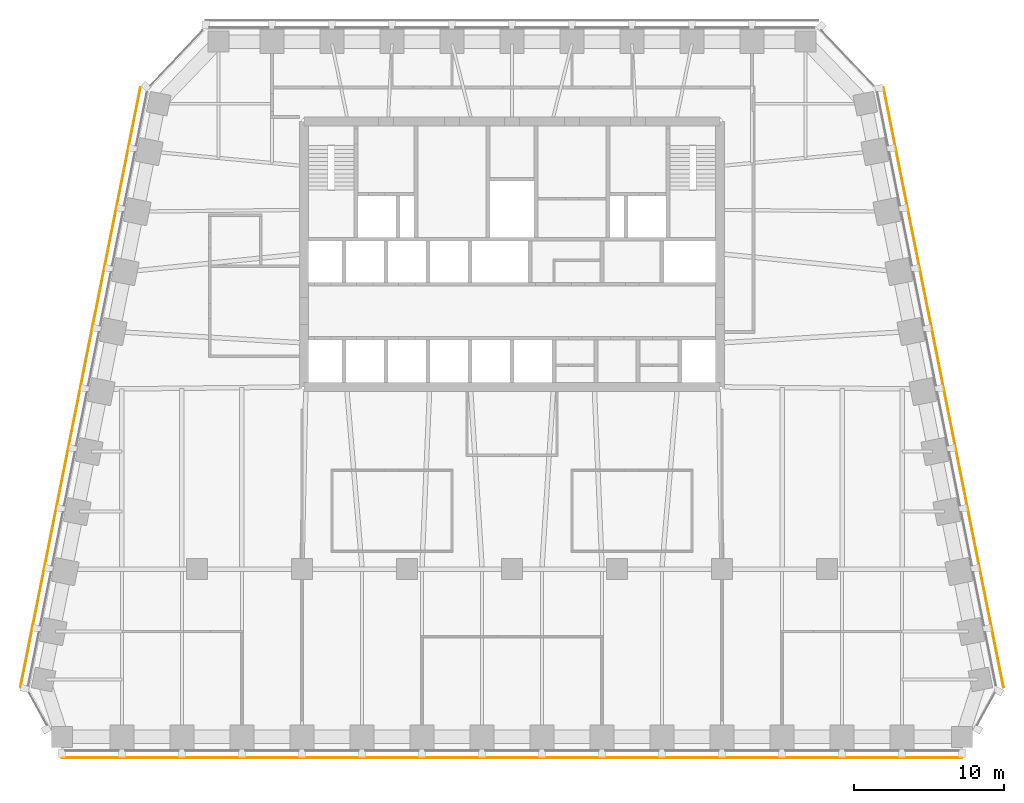
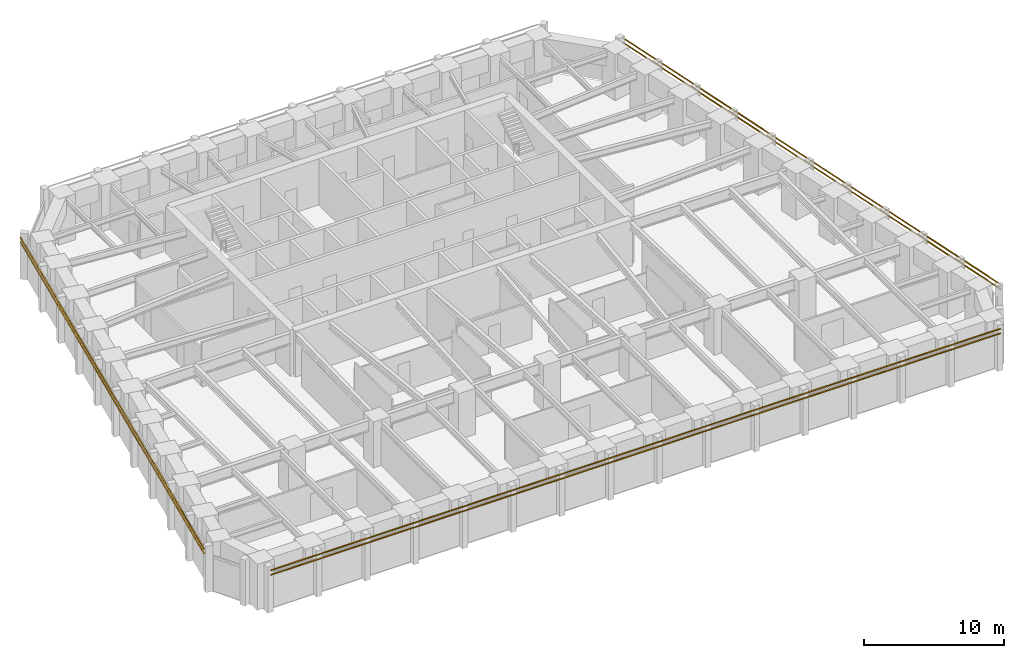
# One storey, part 9 of 10: 6 shading devices.
"""IFC4 building model written with IfcOpenShell, lengths in metres."""

import ifcopenshell
import ifcopenshell.guid

model = None  # the IFC model being written
_history = None  # IfcOwnerHistory: only IFC2X3 demands one
_inside = {}  # id of a spatial element -> (the spatial element, [elements in it])
_under = {}  # id of a project, library or spatial element -> (it, [spatial elements below it])
_declared = {}  # id of a project -> (the project, [libraries it declares])
_typed = {}  # id of a type object -> (the type object, [elements of that type])
_made_of = {}  # id of a material, layer set ... -> (it, [elements and type objects made of it])


def new_model(schema):
    """Start an empty IFC model of exactly this schema.

    Asked for "IFC4X3", IfcOpenShell would pick the latest addendum, in which some entities
    have other attributes; the version numbers below select the first issue.
    IFC2X3 requires an IfcOwnerHistory on every rooted entity: one is made here for all.
    """
    global model, _history
    if schema == "IFC4X3":
        model = ifcopenshell.file(schema_version=(4, 3, 0, 0))
    else:
        model = ifcopenshell.file(schema=schema)
    _inside.clear()
    _under.clear()
    _declared.clear()
    _typed.clear()
    _made_of.clear()
    _history = None
    if model.schema == "IFC2X3":
        org = make("IfcOrganization", Name="unknown")
        user = make(
            "IfcPersonAndOrganization",
            ThePerson=make("IfcPerson", FamilyName="unknown"),
            TheOrganization=org,
        )
        app = make(
            "IfcApplication",
            ApplicationDeveloper=org,
            Version="unknown",
            ApplicationFullName="unknown",
            ApplicationIdentifier="unknown",
        )
        _history = make(
            "IfcOwnerHistory",
            OwningUser=user,
            OwningApplication=app,
            ChangeAction="ADDED",
            CreationDate=0,
        )
    return model


def make(cls, **values):
    """One entity of the class cls with the attributes given. An attribute that is None is left unset."""
    return model.create_entity(
        cls, **{name: value for name, value in values.items() if value is not None}
    )


def rooted(cls, **values):
    """An entity with a GlobalId (a new one), such as an element, a storey or a relation."""
    return make(cls, GlobalId=ifcopenshell.guid.new(), OwnerHistory=_history, **values)


def si_unit(unit_type, name, prefix=None):
    """IfcSIUnit, for example si_unit("LENGTHUNIT", "METRE", prefix="MILLI")."""
    return make("IfcSIUnit", UnitType=unit_type, Prefix=prefix, Name=name)


def assignment(units):
    """IfcUnitAssignment: the units of a project."""
    return None if units is None else make("IfcUnitAssignment", Units=units)


def point(xyz):
    """IfcCartesianPoint."""
    return None if xyz is None else make("IfcCartesianPoint", Coordinates=xyz)


def direction(xyz):
    """IfcDirection."""
    return None if xyz is None else make("IfcDirection", DirectionRatios=xyz)


def frame(location, z_axis=None, x_axis=None):
    """IfcAxis2Placement3D, a coordinate frame: its origin and axes. An axis left out is left unset."""
    return make(
        "IfcAxis2Placement3D",
        Location=point(location),
        Axis=direction(z_axis),
        RefDirection=direction(x_axis),
    )


def frame_2d(location, x_axis=None):
    """IfcAxis2Placement2D, a coordinate frame in the plane: its origin and x axis."""
    return make(
        "IfcAxis2Placement2D", Location=point(location), RefDirection=direction(x_axis)
    )


def origin():
    """The frame at (0, 0, 0) with its axes left unset."""
    return frame((0.0, 0.0, 0.0))


def origin_2d():
    """The frame at (0, 0) in the plane with its x axis left unset."""
    return frame_2d((0.0, 0.0))


def place(relative_to, where):
    """IfcLocalPlacement: puts the frame where relative to a parent placement (None: the world)."""
    return make(
        "IfcLocalPlacement", PlacementRelTo=relative_to, RelativePlacement=where
    )


def context(
    kind, dimensions, precision=None, world=None, true_north=None, identifier=None
):
    """IfcGeometricRepresentationContext, for example the 3D "Model" context."""
    return make(
        "IfcGeometricRepresentationContext",
        ContextIdentifier=identifier,
        ContextType=kind,
        CoordinateSpaceDimension=dimensions,
        Precision=precision,
        WorldCoordinateSystem=world,
        TrueNorth=true_north,
    )


def subcontext(parent, identifier, kind, view, scale=None):
    """IfcGeometricRepresentationSubContext, for example "Body" below "Model"."""
    return make(
        "IfcGeometricRepresentationSubContext",
        ContextIdentifier=identifier,
        ContextType=kind,
        ParentContext=parent,
        TargetScale=scale,
        TargetView=view,
    )


def project(units=None, contexts=None):
    """IfcProject with its units and contexts."""
    return rooted(
        "IfcProject",
        Name="project",
        RepresentationContexts=contexts,
        UnitsInContext=assignment(units),
    )


def spatial(cls, under=None, at=None, **own):
    """A site, building, storey or space (cls), placed at a placement, below another one or the project."""
    s = rooted(cls, ObjectPlacement=at, **own)
    if under is not None:
        _under.setdefault(under.id(), (under, []))[1].append(s)
    return s


def profile(cls, at=None, kind="AREA", **sizes):
    """A parametric profile (cls). Its sizes go by their IFC names, for example OverallWidth=200.0."""
    return make(cls, ProfileType=kind, Position=at, **sizes)


def rectangle(**sizes):
    """IfcRectangleProfileDef."""
    return profile("IfcRectangleProfileDef", **sizes)


def extrude(swept, where, along, depth):
    """IfcExtrudedAreaSolid: the profile swept, set in the frame where, extruded along a direction by depth."""
    return make(
        "IfcExtrudedAreaSolid",
        SweptArea=swept,
        Position=where,
        ExtrudedDirection=direction(along),
        Depth=depth,
    )


def shape(context_of_items, identifier, shape_type, items):
    """IfcShapeRepresentation: the items that make up one representation, for example the "Body"."""
    return make(
        "IfcShapeRepresentation",
        ContextOfItems=context_of_items,
        RepresentationIdentifier=identifier,
        RepresentationType=shape_type,
        Items=items,
    )


def material(Name=None, Category=None):
    """IfcMaterial."""
    return make("IfcMaterial", Name=Name, Category=Category)


def material_profile(
    of_material, cross_section, Name=None, Category=None, Priority=None
):
    """IfcMaterialProfile: a cross section and its material."""
    return make(
        "IfcMaterialProfile",
        Name=Name,
        Material=of_material,
        Profile=cross_section,
        Priority=Priority,
        Category=Category,
    )


def profile_set(profiles, Name=None, composite=None):
    """IfcMaterialProfileSet."""
    return make(
        "IfcMaterialProfileSet",
        Name=Name,
        MaterialProfiles=profiles,
        CompositeProfile=composite,
    )


def made_of(thing, what):
    """Note that an element or type object is made of a material, layer set ...; save() writes the relation."""
    if what is not None:
        _made_of.setdefault(what.id(), (what, []))[1].append(thing)
    return thing


def type_object(cls, material=None, **own):
    """A type object (cls), such as IfcWallType, which elements share."""
    return made_of(rooted(cls, **own), material)


def element(
    cls,
    number,
    at=None,
    inside=None,
    cuts=None,
    type_object=None,
    material=None,
    context=None,
    identifier="Body",
    shape_type=None,
    held_by="IfcProductDefinitionShape",
    body=None,
    shapes=None,
    **own,
):
    """One element of the class cls, such as IfcWall. Its Tag is "e" and its number.

    at: its placement. inside: the storey or other place that contains it. cuts: it is an
    opening in that element (IfcRelVoidsElement). A single representation is given by context,
    identifier, shape_type and body (its items); several are given by shapes. held_by: the class
    of the entity that holds the representations. save() writes the other relations.
    """
    e = rooted(cls, Tag="e%d" % number, ObjectPlacement=at, **own)
    if body is not None:
        shapes = [shape(context, identifier, shape_type, body)]
    if shapes is not None:
        e.Representation = make(held_by, Representations=shapes)
    if inside is not None:
        _inside.setdefault(inside.id(), (inside, []))[1].append(e)
    if cuts is not None:
        rooted(
            "IfcRelVoidsElement", RelatingBuildingElement=cuts, RelatedOpeningElement=e
        )
    if type_object is not None:
        _typed.setdefault(type_object.id(), (type_object, []))[1].append(e)
    return made_of(e, material)


def aggregate(whole, parts):
    """IfcRelAggregates: a whole, such as a stair, and the parts it consists of."""
    return rooted("IfcRelAggregates", RelatingObject=whole, RelatedObjects=parts)


def save(model, path):
    """Write the relations noted so far, then the file.

    IfcRelAggregates (storeys below a building ...), IfcRelContainedInSpatialStructure (elements
    in a storey), IfcRelDefinesByType, IfcRelAssociatesMaterial and IfcRelDeclares: one each for
    every whole, place, type object, material and project.
    """
    for whole, parts in _under.values():
        aggregate(whole, parts)
    for where, things in _inside.values():
        rooted(
            "IfcRelContainedInSpatialStructure",
            RelatedElements=things,
            RelatingStructure=where,
        )
    for kind, things in _typed.values():
        rooted("IfcRelDefinesByType", RelatedObjects=things, RelatingType=kind)
    for what, things in _made_of.values():
        rooted("IfcRelAssociatesMaterial", RelatedObjects=things, RelatingMaterial=what)
    for by, libraries in _declared.values():
        rooted("IfcRelDeclares", RelatingContext=by, RelatedDefinitions=libraries)
    model.write(path)


model = new_model("IFC4")

# Units and contexts
model_context = context("Model", 3, precision=1e-05, world=origin(), true_north=direction((0.0, 1.0)))
body_context = subcontext(model_context, "Body", "Model", "MODEL_VIEW")
ifc_project = project(units=[si_unit("LENGTHUNIT", "METRE"), si_unit("AREAUNIT", "SQUARE_METRE"), si_unit("VOLUMEUNIT", "CUBIC_METRE"), si_unit("PLANEANGLEUNIT", "RADIAN"), si_unit("MASSUNIT", "GRAM", prefix="KILO")], contexts=[model_context])

# Site, building, storey
site_placement = place(None, origin())
site = spatial("IfcSite", under=ifc_project, at=site_placement, CompositionType="ELEMENT")
building_placement = place(site_placement, origin())
building = spatial("IfcBuilding", under=site, at=building_placement, Name="Isbrekke Arena Tower", CompositionType="ELEMENT")
storey_placement = place(building_placement, frame((0.0, 0.0, 234.0)))
storey = spatial("IfcBuildingStorey", under=building, at=storey_placement, Name="L54", CompositionType="ELEMENT", Elevation=234.0)

# Shading devices
ifc_material = material(Name="Terracotta", Category="masonry")
ifc_material_profile = material_profile(ifc_material, rectangle(XDim=0.06005859375, YDim=0.06005859375, at=origin_2d()), Name="BAGUETTE 60X60")
ifc_profile_set = profile_set([ifc_material_profile], Name="Terracotta")
shading_device_type = type_object("IfcShadingDeviceType", Name="BG1 TERRACOTTA BAGUETTE 60 x 60", PredefinedType="USERDEFINED", material=ifc_profile_set)
for number, where, z_axis, x_axis, name in (
    (1, (-30.0, -18.580078125, 3.280029296875), (1.0, 0.0, 0.0), (0.0, 1.0, 0.0), "BG1 terracotta baguette S1 L54"),
    (2, (-30.0, -18.580078125, 3.679931640625), (1.0, 0.0, 0.0), (0.0, 1.0, 0.0), "BG1 terracotta baguette S2 L54"),
):
    element("IfcShadingDevice", number, at=place(storey_placement, frame(where, z_axis=z_axis, x_axis=x_axis)), inside=storey, type_object=shading_device_type, Name=name, ObjectType="TERRACOTTA BAGUETTE", PredefinedType="USERDEFINED", context=body_context, shape_type="SweptSolid", body=[
        extrude(rectangle(XDim=0.06005859375, YDim=0.06005859375, at=origin_2d()), origin(), (0.0, 0.0, 1.0), 60.0),
    ])
for number, where, z_axis, x_axis, name in (
    (3, (32.768798828125, -13.88623046875, 3.280029296875), (-0.196116135138, 0.980580675691, 0.0), (-0.980580675691, -0.196116135138, 0.0), "BG1 terracotta baguette E1 L54"),
    (4, (32.768798828125, -13.88623046875, 3.679931640625), (-0.196116135138, 0.980580675691, 0.0), (-0.980580675691, -0.196116135138, 0.0), "BG1 terracotta baguette E2 L54"),
    (5, (-24.768798828125, 26.11376953125, 3.280029296875), (-0.196116135138, -0.980580675691, 0.0), (0.980580675691, -0.196116135138, 0.0), "BG1 terracotta baguette W1 L54"),
    (6, (-24.768798828125, 26.11376953125, 3.679931640625), (-0.196116135138, -0.980580675691, 0.0), (0.980580675691, -0.196116135138, 0.0), "BG1 terracotta baguette W2 L54"),
):
    element("IfcShadingDevice", number, at=place(storey_placement, frame(where, z_axis=z_axis, x_axis=x_axis)), inside=storey, type_object=shading_device_type, Name=name, ObjectType="TERRACOTTA BAGUETTE", PredefinedType="USERDEFINED", context=body_context, shape_type="SweptSolid", body=[
        extrude(rectangle(XDim=0.06005859375, YDim=0.06005859375, at=origin_2d()), origin(), (0.0, 0.0, 1.0), 40.792236328125),
    ])

save(model, "model.ifc")
